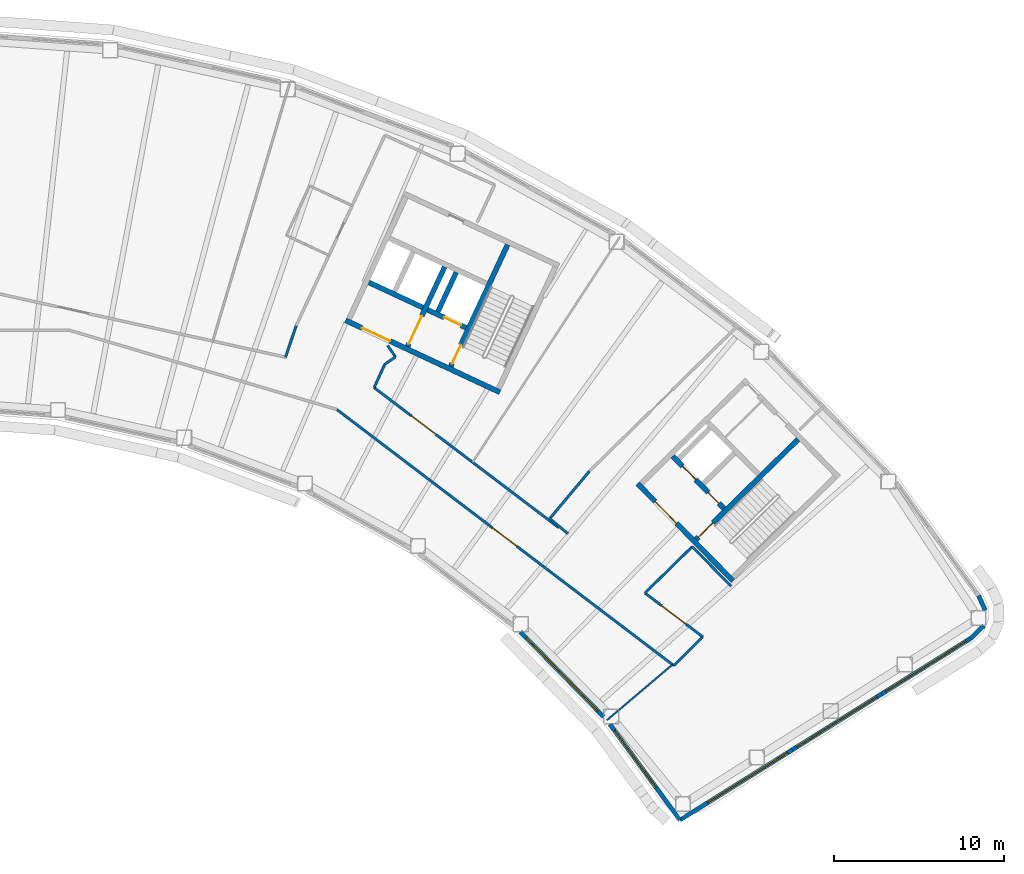
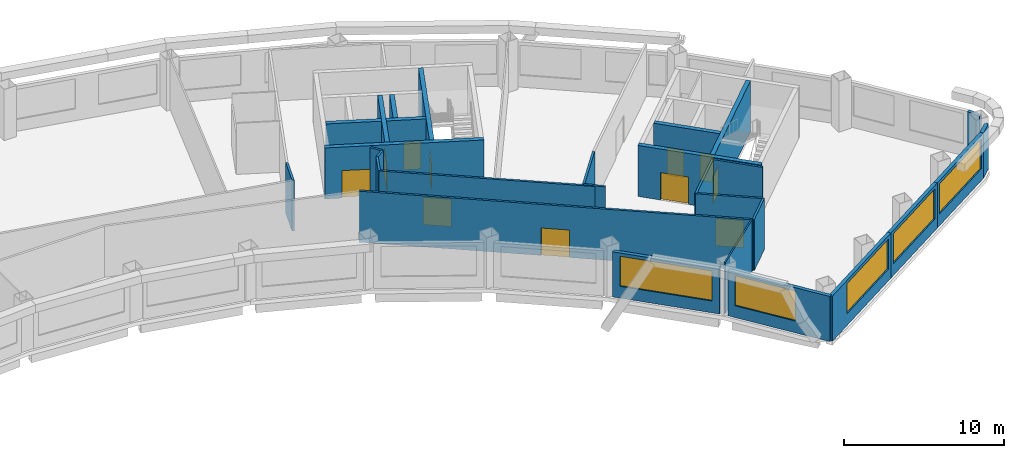
# One storey, part 8 of 12: 29 walls, 11 doors, 5 windows, 16 openings.
"""IFC4 building model written with IfcOpenShell, lengths in metres."""

from ifc_helpers import new_model, si_unit, direction, frame, frame_2d, origin, place, context, subcontext, project, spatial, rectangle, extrude, material, layer, layer_set, type_object, element, fill, save


model = new_model("IFC4")

# Units and contexts
model_context = context("Model", 3, precision=1e-05, world=origin(), true_north=direction((0.0, 1.0)))
body_context = subcontext(model_context, "Body", "Model", "MODEL_VIEW")
ifc_project = project(units=[si_unit("LENGTHUNIT", "METRE"), si_unit("AREAUNIT", "SQUARE_METRE"), si_unit("VOLUMEUNIT", "CUBIC_METRE"), si_unit("PLANEANGLEUNIT", "RADIAN"), si_unit("MASSUNIT", "GRAM", prefix="KILO")], contexts=[model_context])

# Site, building, storey
site_placement = place(None, origin())
site = spatial("IfcSite", under=ifc_project, at=site_placement, CompositionType="ELEMENT")
building_placement = place(site_placement, origin())
building = spatial("IfcBuilding", under=site, at=building_placement, Name="Tuul Gate Civic Tower", CompositionType="ELEMENT")
storey_placement = place(building_placement, frame((0.0, 0.0, 193.10009765625)))
storey = spatial("IfcBuildingStorey", under=building, at=storey_placement, Name="Level 44", CompositionType="ELEMENT", Elevation=193.10009765625)

# Wall, opening, door
ifc_material_1 = material(Name="Concrete C50/60", Category="concrete")
ifc_layer_1 = layer(ifc_material_1, 0.300048828125)
ifc_layer_set_1 = layer_set([ifc_layer_1], Name="Concrete C50/60")
wall_type_1 = type_object("IfcWallType", Name="Core wall C50/60", PredefinedType="SHEAR", material=ifc_layer_set_1)
wall_1_placement = place(storey_placement, frame((48.22509765625, -18.327880859375, 0.0), z_axis=(0.0, 0.0, 1.0), x_axis=(-0.700021979774, 0.714121297703, 0.0)))
wall_1 = element("IfcWall", 1, at=wall_1_placement, inside=storey, type_object=wall_type_1, Name="Core wall", PredefinedType="SHEAR", context=body_context, shape_type="SweptSolid", body=[
    extrude(rectangle(XDim=8.0, YDim=0.300048828125, at=frame_2d((4.0, 0.0))), origin(), (0.0, 0.0, 1.0), 3.89990234375),
])
opening_1_placement = place(wall_1_placement, frame((4.72509765625, 0.0, 0.0)))
opening_1 = element("IfcOpeningElement", 2, at=opening_1_placement, cuts=wall_1, Name="Opening LB-E1-LOBBY-1", PredefinedType="OPENING", context=body_context, shape_type="SweptSolid", body=[
    extrude(rectangle(XDim=1.800048828125, YDim=2.10009765625, at=frame_2d((0.89990234375, 1.050048828125))), frame((0.0, 0.16015625, 0.0), z_axis=(0.0, -1.0, 0.0), x_axis=(1.0, 0.0, 0.0)), (0.0, 0.0, 1.0), 0.320068359375),
])
ifc_material_2 = material(Name="Steel", Category="steel")
door_type_1 = type_object("IfcDoorType", Name="Lobby door", OperationType="DOUBLE_DOOR_SINGLE_SWING", PredefinedType="DOOR", material=ifc_material_2)
door_1_placement = place(opening_1_placement, frame((1.800048828125, 0.0, 0.0), z_axis=(0.0, 0.0, 1.0), x_axis=(-1.0, 0.0, 0.0)))
door_1 = element("IfcDoor", 3, at=door_1_placement, inside=storey, type_object=door_type_1, Name="Lobby door E1-LOBBY", OperationType="DOUBLE_DOOR_SINGLE_SWING", OverallHeight=2.10009765625, OverallWidth=1.800048828125, PredefinedType="DOOR", context=body_context, shape_type="SweptSolid", body=[
    extrude(rectangle(XDim=1.800048828125, YDim=2.10009765625, at=frame_2d((0.900146484375, 1.050048828125))), frame((0.0, 0.02490234375, 0.0), z_axis=(0.0, -1.0, 0.0), x_axis=(1.0, 0.0, 0.0)), (0.0, 0.0, 1.0), 0.050048828125),
])
fill(opening_1, door_1)

# Wall, openings, doors
wall_2_placement = place(storey_placement, frame((47.701904296875, -14.079833984375, 0.0), z_axis=(0.0, 0.0, 1.0), x_axis=(-0.700002721075, 0.714140175657, 0.0)))
wall_2 = element("IfcWall", 4, at=wall_2_placement, inside=storey, type_object=wall_type_1, Name="Core wall", PredefinedType="SHEAR", context=body_context, shape_type="SweptSolid", body=[
    extrude(rectangle(XDim=4.300048828125, YDim=0.300048828125, at=frame_2d((2.14990234375, 0.0))), origin(), (0.0, 0.0, 1.0), 3.89990234375),
])
opening_2_placement = place(wall_2_placement, frame((0.425048828125, 0.0, 0.0)))
opening_2 = element("IfcOpeningElement", 5, at=opening_2_placement, cuts=wall_2, Name="Opening FB-E1A1", PredefinedType="OPENING", context=body_context, shape_type="SweptSolid", body=[
    extrude(rectangle(XDim=0.89990234375, YDim=2.10009765625, at=frame_2d((0.449951171875, 1.050048828125))), frame((0.0, 0.16015625, 0.0), z_axis=(0.0, -1.0, 0.0), x_axis=(1.0, 0.0, 0.0)), (0.0, 0.0, 1.0), 0.320068359375),
])
opening_3_placement = place(wall_2_placement, frame((2.375, 0.0, 0.0)))
opening_3 = element("IfcOpeningElement", 6, at=opening_3_placement, cuts=wall_2, Name="Opening LD-M3", PredefinedType="OPENING", context=body_context, shape_type="SweptSolid", body=[
    extrude(rectangle(XDim=1.10009765625, YDim=2.10009765625, at=frame_2d((0.550048828125, 1.050048828125))), frame((0.0, 0.16015625, 0.0), z_axis=(0.0, -1.0, 0.0), x_axis=(1.0, 0.0, 0.0)), (0.0, 0.0, 1.0), 0.320068359375),
])
ifc_material_3 = material(Name="Stainless steel", Category="steel")
door_type_2 = type_object("IfcDoorType", Name="Landing door", OperationType="DOUBLE_DOOR_SLIDING", PredefinedType="DOOR", material=ifc_material_3)
door_2_placement = place(opening_3_placement, origin())
door_2 = element("IfcDoor", 7, at=door_2_placement, inside=storey, type_object=door_type_2, Name="Mid-rise lift M3 landing door", OperationType="DOUBLE_DOOR_SLIDING", OverallHeight=2.10009765625, OverallWidth=1.10009765625, PredefinedType="DOOR", context=body_context, shape_type="SweptSolid", body=[
    extrude(rectangle(XDim=1.10009765625, YDim=2.10009765625, at=frame_2d((0.550048828125, 1.050048828125))), frame((0.0, 0.02490234375, 0.0), z_axis=(0.0, -1.0, 0.0), x_axis=(1.0, 0.0, 0.0)), (0.0, 0.0, 1.0), 0.050048828125),
])
fill(opening_3, door_2)
ifc_material_4 = material(Name="Steel", Category="steel")
door_type_3 = type_object("IfcDoorType", Name="Store door", OperationType="NOTDEFINED", PredefinedType="DOOR", material=ifc_material_4)
door_3_placement = place(opening_2_placement, frame((0.89990234375, 0.0, 0.0), z_axis=(0.0, 0.0, 1.0), x_axis=(-1.0, 0.0, 0.0)))
door_3 = element("IfcDoor", 8, at=door_3_placement, inside=storey, type_object=door_type_3, Name="Store door E1A1", OperationType="SINGLE_SWING_RIGHT", OverallHeight=2.10009765625, OverallWidth=0.89990234375, PredefinedType="DOOR", context=body_context, shape_type="SweptSolid", body=[
    extrude(rectangle(XDim=0.89990234375, YDim=2.10009765625, at=frame_2d((0.449951171875, 1.050048828125))), frame((0.0, 0.02490234375, 0.0), z_axis=(0.0, -1.0, 0.0), x_axis=(1.0, 0.0, 0.0)), (0.0, 0.0, 1.0), 0.050048828125),
])
fill(opening_2, door_3)

# Wall, opening, door
wall_3_placement = place(storey_placement, frame((46.05712890625, -15.902099609375, 0.0), z_axis=(0.0, 0.0, 1.0), x_axis=(0.714134086973, 0.700008932674, 0.0)))
wall_3 = element("IfcWall", 9, at=wall_3_placement, inside=storey, type_object=wall_type_1, Name="Core wall", PredefinedType="SHEAR", context=body_context, shape_type="SweptSolid", body=[
    extrude(rectangle(XDim=8.400146484375, YDim=0.300048828125, at=frame_2d((4.2001953125, 0.0))), origin(), (0.0, 0.0, 1.0), 3.89990234375),
])
opening_4_placement = place(wall_3_placement, frame((0.199951171875, 0.0, 0.0)))
opening_4 = element("IfcOpeningElement", 10, at=opening_4_placement, cuts=wall_3, Name="Opening SD-ST-3", PredefinedType="OPENING", context=body_context, shape_type="SweptSolid", body=[
    extrude(rectangle(XDim=1.199951171875, YDim=2.10009765625, at=frame_2d((0.60009765625, 1.050048828125))), frame((0.0, 0.16015625, 0.0), z_axis=(0.0, -1.0, 0.0), x_axis=(1.0, 0.0, 0.0)), (0.0, 0.0, 1.0), 0.320068359375),
])
ifc_material_5 = material(Name="Steel", Category="steel")
door_type_4 = type_object("IfcDoorType", Name="Stair door", OperationType="NOTDEFINED", PredefinedType="DOOR", material=ifc_material_5)
door_4_placement = place(opening_4_placement, origin())
door_4 = element("IfcDoor", 11, at=door_4_placement, inside=storey, type_object=door_type_4, Name="Stair door ST-3", OperationType="SINGLE_SWING_LEFT", OverallHeight=2.10009765625, OverallWidth=1.199951171875, PredefinedType="DOOR", context=body_context, shape_type="SweptSolid", body=[
    extrude(rectangle(XDim=1.199951171875, YDim=2.10009765625, at=frame_2d((0.60009765625, 1.050048828125))), frame((0.0, 0.02490234375, 0.0), z_axis=(0.0, -1.0, 0.0), x_axis=(1.0, 0.0, 0.0)), (0.0, 0.0, 1.0), 0.050048828125),
])
fill(opening_4, door_4)

wall_4_placement = place(storey_placement, frame((34.5283203125, -7.25, 0.0), z_axis=(0.0, 0.0, 1.0), x_axis=(-0.906310338845, 0.422612789327, 0.0)))
wall_4 = element("IfcWall", 12, at=wall_4_placement, inside=storey, type_object=wall_type_1, Name="Core wall", PredefinedType="SHEAR", context=body_context, shape_type="SweptSolid", body=[
    extrude(rectangle(XDim=9.999755859375, YDim=0.300048828125, at=frame_2d((5.0, 0.0))), origin(), (0.0, 0.0, 1.0), 3.89990234375),
])
opening_5_placement = place(wall_4_placement, frame((7.125, 0.0, 0.0)))
opening_5 = element("IfcOpeningElement", 13, at=opening_5_placement, cuts=wall_4, Name="Opening LB-E3-LOBBY-1", PredefinedType="OPENING", context=body_context, shape_type="SweptSolid", body=[
    extrude(rectangle(XDim=1.800048828125, YDim=2.10009765625, at=frame_2d((0.89990234375, 1.050048828125))), frame((0.0, 0.16015625, 0.0), z_axis=(0.0, -1.0, 0.0), x_axis=(1.0, 0.0, 0.0)), (0.0, 0.0, 1.0), 0.320068359375),
])
door_5_placement = place(opening_5_placement, frame((1.800048828125, 0.0, 0.0), z_axis=(0.0, 0.0, 1.0), x_axis=(-1.0, 0.0, 0.0)))
door_5 = element("IfcDoor", 14, at=door_5_placement, inside=storey, type_object=door_type_1, Name="Lobby door E3-LOBBY", OperationType="DOUBLE_DOOR_SINGLE_SWING", OverallHeight=2.10009765625, OverallWidth=1.800048828125, PredefinedType="DOOR", context=body_context, shape_type="SweptSolid", body=[
    extrude(rectangle(XDim=1.800048828125, YDim=2.10009765625, at=frame_2d((0.900146484375, 1.050048828125))), frame((0.0, 0.02490234375, 0.0), z_axis=(0.0, -1.0, 0.0), x_axis=(1.0, 0.0, 0.0)), (0.0, 0.0, 1.0), 0.050048828125),
])
fill(opening_5, door_5)

wall_5_placement = place(storey_placement, frame((32.545654296875, -3.456787109375, 0.0), z_axis=(0.0, 0.0, 1.0), x_axis=(-0.906300357825, 0.42263419337, 0.0)))
wall_5 = element("IfcWall", 15, at=wall_5_placement, inside=storey, type_object=wall_type_1, Name="Core wall", PredefinedType="SHEAR", context=body_context, shape_type="SweptSolid", body=[
    extrude(rectangle(XDim=2.500244140625, YDim=0.300048828125, at=frame_2d((1.25, 0.0))), origin(), (0.0, 0.0, 1.0), 3.89990234375),
])
opening_6_placement = place(wall_5_placement, frame((0.324951171875, 0.0, 0.0)))
opening_6 = element("IfcOpeningElement", 16, at=opening_6_placement, cuts=wall_5, Name="Opening LD-FF-2", PredefinedType="OPENING", context=body_context, shape_type="SweptSolid", body=[
    extrude(rectangle(XDim=1.10009765625, YDim=2.10009765625, at=frame_2d((0.550048828125, 1.050048828125))), frame((0.0, 0.16015625, 0.0), z_axis=(0.0, -1.0, 0.0), x_axis=(1.0, 0.0, 0.0)), (0.0, 0.0, 1.0), 0.320068359375),
])
door_6_placement = place(opening_6_placement, origin())
door_6 = element("IfcDoor", 17, at=door_6_placement, inside=storey, type_object=door_type_2, Name="Fire-fighting lift FF-2 landing door", OperationType="DOUBLE_DOOR_SLIDING", OverallHeight=2.10009765625, OverallWidth=1.10009765625, PredefinedType="DOOR", context=body_context, shape_type="SweptSolid", body=[
    extrude(rectangle(XDim=1.10009765625, YDim=2.10009765625, at=frame_2d((0.550048828125, 1.050048828125))), frame((0.0, 0.02490234375, 0.0), z_axis=(0.0, -1.0, 0.0), x_axis=(1.0, 0.0, 0.0)), (0.0, 0.0, 1.0), 0.050048828125),
])
fill(opening_6, door_6)

# Wall
wall_6_placement = place(storey_placement, frame((30.0078125, -2.2734375, 0.0), z_axis=(0.0, 0.0, 1.0), x_axis=(-0.90630071767, 0.422633421716, 0.0)))
element("IfcWall", 18, at=wall_6_placement, inside=storey, type_object=wall_type_1, Name="Core wall", PredefinedType="SHEAR", context=body_context, shape_type="SweptSolid", body=[
    extrude(rectangle(XDim=3.5, YDim=0.300048828125, at=frame_2d((1.75, 0.0))), origin(), (0.0, 0.0, 1.0), 3.89990234375),
])

# Wall, opening, door
wall_7_placement = place(storey_placement, frame((31.646240234375, -5.740478515625, 0.0), z_axis=(0.0, 0.0, 1.0), x_axis=(0.422582604137, 0.906324413596, 0.0)))
wall_7 = element("IfcWall", 19, at=wall_7_placement, inside=storey, type_object=wall_type_1, Name="Core wall", PredefinedType="SHEAR", context=body_context, shape_type="SweptSolid", body=[
    extrude(rectangle(XDim=7.89990234375, YDim=0.300048828125, at=frame_2d((3.949951171875, 0.0))), origin(), (0.0, 0.0, 1.0), 3.89990234375),
])
opening_7_placement = place(wall_7_placement, frame((0.199951171875, 0.0, 0.0)))
opening_7 = element("IfcOpeningElement", 20, at=opening_7_placement, cuts=wall_7, Name="Opening SD-ST-4", PredefinedType="OPENING", context=body_context, shape_type="SweptSolid", body=[
    extrude(rectangle(XDim=1.199951171875, YDim=2.10009765625, at=frame_2d((0.60009765625, 1.050048828125))), frame((0.0, 0.16015625, 0.0), z_axis=(0.0, -1.0, 0.0), x_axis=(1.0, 0.0, 0.0)), (0.0, 0.0, 1.0), 0.320068359375),
])
door_7_placement = place(opening_7_placement, origin())
door_7 = element("IfcDoor", 21, at=door_7_placement, inside=storey, type_object=door_type_4, Name="Stair door ST-4", OperationType="SINGLE_SWING_LEFT", OverallHeight=2.10009765625, OverallWidth=1.199951171875, PredefinedType="DOOR", context=body_context, shape_type="SweptSolid", body=[
    extrude(rectangle(XDim=1.199951171875, YDim=2.10009765625, at=frame_2d((0.60009765625, 1.050048828125))), frame((0.0, 0.02490234375, 0.0), z_axis=(0.0, -1.0, 0.0), x_axis=(1.0, 0.0, 0.0)), (0.0, 0.0, 1.0), 0.050048828125),
])
fill(opening_7, door_7)

# Wall
wall_8_placement = place(storey_placement, frame((30.886962890625, -2.517822265625, 0.0), z_axis=(0.0, 0.0, 1.0), x_axis=(0.422612891016, 0.906310291427, 0.0)))
element("IfcWall", 22, at=wall_8_placement, inside=storey, type_object=wall_type_1, Name="Core wall", PredefinedType="SHEAR", context=body_context, shape_type="SweptSolid", body=[
    extrude(rectangle(XDim=2.550048828125, YDim=0.300048828125, at=frame_2d((1.27490234375, 0.0))), origin(), (0.0, 0.0, 1.0), 3.89990234375),
])

# Wall, opening, door
wall_9_placement = place(storey_placement, frame((29.108642578125, -4.557373046875, 0.0), z_axis=(0.0, 0.0, 1.0), x_axis=(0.422566235356, 0.90633204552, 0.0)))
wall_9 = element("IfcWall", 23, at=wall_9_placement, inside=storey, type_object=wall_type_1, Name="Core wall", PredefinedType="SHEAR", context=body_context, shape_type="SweptSolid", body=[
    extrude(rectangle(XDim=5.150146484375, YDim=0.300048828125, at=frame_2d((2.5751953125, 0.0))), origin(), (0.0, 0.0, 1.0), 3.89990234375),
])
opening_8_placement = place(wall_9_placement, frame((0.175048828125, 0.0, 0.0)))
opening_8 = element("IfcOpeningElement", 24, at=opening_8_placement, cuts=wall_9, Name="Opening LB-E3-FLOBBY-1", PredefinedType="OPENING", context=body_context, shape_type="SweptSolid", body=[
    extrude(rectangle(XDim=1.800048828125, YDim=2.10009765625, at=frame_2d((0.89990234375, 1.050048828125))), frame((0.0, 0.16015625, 0.0), z_axis=(0.0, -1.0, 0.0), x_axis=(1.0, 0.0, 0.0)), (0.0, 0.0, 1.0), 0.320068359375),
])
door_8_placement = place(opening_8_placement, frame((1.800048828125, 0.0, 0.0), z_axis=(0.0, 0.0, 1.0), x_axis=(-1.0, 0.0, 0.0)))
door_8 = element("IfcDoor", 25, at=door_8_placement, inside=storey, type_object=door_type_1, Name="Lobby door E3-FLOBBY", OperationType="DOUBLE_DOOR_SINGLE_SWING", OverallHeight=2.10009765625, OverallWidth=1.800048828125, PredefinedType="DOOR", context=body_context, shape_type="SweptSolid", body=[
    extrude(rectangle(XDim=1.800048828125, YDim=2.10009765625, at=frame_2d((0.900146484375, 1.050048828125))), frame((0.0, 0.02490234375, 0.0), z_axis=(0.0, -1.0, 0.0), x_axis=(1.0, 0.0, 0.0)), (0.0, 0.0, 1.0), 0.050048828125),
])
fill(opening_8, door_8)

# Wall
ifc_material_6 = material(Name="Gypsum board partition")
ifc_layer_2 = layer(ifc_material_6, 0.14990234375)
ifc_layer_set_2 = layer_set([ifc_layer_2], Name="Gypsum board partition")
wall_type_2 = type_object("IfcWallType", Name="Corridor wall P150", PredefinedType="PARTITIONING", material=ifc_layer_set_2)
wall_10_placement = place(storey_placement, frame((44.74853515625, -23.310791015625, 0.0), z_axis=(0.0, 0.0, 1.0), x_axis=(0.711618741857, 0.70256584477, 0.0)))
element("IfcWall", 26, at=wall_10_placement, inside=storey, type_object=wall_type_2, Name="p002", PredefinedType="PARTITIONING", context=body_context, shape_type="SweptSolid", body=[
    extrude(rectangle(XDim=2.400146484375, YDim=0.14990234375, at=frame_2d((1.2001953125, 0.0))), origin(), (0.0, 0.0, 1.0), 3.89990234375),
])

# Wall, opening, door
wall_11_placement = place(storey_placement, frame((27.14404296875, -6.9794921875, 0.0), z_axis=(0.0, 0.0, 1.0), x_axis=(0.796810356631, -0.604229472606, 0.0)))
wall_11 = element("IfcWall", 27, at=wall_11_placement, inside=storey, type_object=wall_type_2, Name="p003", PredefinedType="PARTITIONING", context=body_context, shape_type="SweptSolid", body=[
    extrude(rectangle(XDim=13.6142578125, YDim=0.14990234375, at=frame_2d((6.80712890625, 0.0))), origin(), (0.0, 0.0, 1.0), 3.89990234375),
])
opening_9_placement = place(wall_11_placement, frame((2.74560546875, 0.0, 0.0)))
opening_9 = element("IfcOpeningElement", 28, at=opening_9_placement, cuts=wall_11, Name="Opening P-D11", PredefinedType="OPENING", context=body_context, shape_type="SweptSolid", body=[
    extrude(rectangle(XDim=1.800048828125, YDim=2.10009765625, at=frame_2d((0.89990234375, 1.050048828125))), frame((0.0, 0.0849609375, 0.0), z_axis=(0.0, -1.0, 0.0), x_axis=(1.0, 0.0, 0.0)), (0.0, 0.0, 1.0), 0.169921875),
])
ifc_material_7 = material(Name="Timber door leaf, double", Category="wood")
door_type_5 = type_object("IfcDoorType", Name="Door D18", OperationType="DOUBLE_DOOR_SINGLE_SWING", PredefinedType="DOOR", material=ifc_material_7)
door_9_placement = place(opening_9_placement, origin())
door_9 = element("IfcDoor", 29, at=door_9_placement, inside=storey, type_object=door_type_5, Name="Door P-D11", OperationType="DOUBLE_DOOR_SINGLE_SWING", OverallHeight=2.10009765625, OverallWidth=1.800048828125, PredefinedType="DOOR", context=body_context, shape_type="SweptSolid", body=[
    extrude(rectangle(XDim=1.800048828125, YDim=2.10009765625, at=frame_2d((0.89990234375, 1.050048828125))), frame((0.0, 0.02490234375, 0.0), z_axis=(0.0, -1.0, 0.0), x_axis=(1.0, 0.0, 0.0)), (0.0, 0.0, 1.0), 0.050048828125),
])
fill(opening_9, door_9)

wall_12_placement = place(storey_placement, frame((43.056884765625, -19.046630859375, 0.0), z_axis=(0.0, 0.0, 1.0), x_axis=(0.796823317095, -0.604212380984, 0.0)))
wall_12 = element("IfcWall", 30, at=wall_12_placement, inside=storey, type_object=wall_type_2, Name="p004", PredefinedType="PARTITIONING", context=body_context, shape_type="SweptSolid", body=[
    extrude(rectangle(XDim=4.2666015625, YDim=0.14990234375, at=frame_2d((2.13330078125, 0.0))), origin(), (0.0, 0.0, 1.0), 3.89990234375),
])
opening_10_placement = place(wall_12_placement, frame((1.2333984375, 0.0, 0.0)))
opening_10 = element("IfcOpeningElement", 31, at=opening_10_placement, cuts=wall_12, Name="Opening P-D01", PredefinedType="OPENING", context=body_context, shape_type="SweptSolid", body=[
    extrude(rectangle(XDim=1.800048828125, YDim=2.10009765625, at=frame_2d((0.89990234375, 1.050048828125))), frame((0.0, 0.0849609375, 0.0), z_axis=(0.0, -1.0, 0.0), x_axis=(1.0, 0.0, 0.0)), (0.0, 0.0, 1.0), 0.169921875),
])
door_10_placement = place(opening_10_placement, origin())
door_10 = element("IfcDoor", 32, at=door_10_placement, inside=storey, type_object=door_type_5, Name="Door P-D01", OperationType="DOUBLE_DOOR_SINGLE_SWING", OverallHeight=2.10009765625, OverallWidth=1.800048828125, PredefinedType="DOOR", context=body_context, shape_type="SweptSolid", body=[
    extrude(rectangle(XDim=1.800048828125, YDim=2.10009765625, at=frame_2d((0.89990234375, 1.050048828125))), frame((0.0, 0.02490234375, 0.0), z_axis=(0.0, -1.0, 0.0), x_axis=(1.0, 0.0, 0.0)), (0.0, 0.0, 1.0), 0.050048828125),
])
fill(opening_10, door_10)

# Walls
wall_13_placement = place(storey_placement, frame((43.056884765625, -19.046630859375, 0.0), z_axis=(0.0, 0.0, 1.0), x_axis=(0.714125074871, 0.700018126509, 0.0)))
element("IfcWall", 33, at=wall_13_placement, inside=storey, type_object=wall_type_2, Name="p005", PredefinedType="PARTITIONING", context=body_context, shape_type="SweptSolid", body=[
    extrude(rectangle(XDim=3.89404296875, YDim=0.14990234375, at=frame_2d((1.947021484375, 0.0))), origin(), (0.0, 0.0, 1.0), 3.89990234375),
])
wall_14_placement = place(storey_placement, frame((45.837646484375, -16.32080078125, 0.0), z_axis=(0.0, 0.0, 1.0), x_axis=(0.700020410366, -0.714122836122, 0.0)))
element("IfcWall", 34, at=wall_14_placement, inside=storey, type_object=wall_type_2, Name="p006", PredefinedType="PARTITIONING", context=body_context, shape_type="SweptSolid", body=[
    extrude(rectangle(XDim=3.254638671875, YDim=0.14990234375, at=frame_2d((1.62744140625, 0.0))), origin(), (0.0, 0.0, 1.0), 3.89990234375),
])

# Wall, opening, door
wall_15_placement = place(storey_placement, frame((24.951904296875, -8.265869140625, 0.0), z_axis=(0.0, 0.0, 1.0), x_axis=(0.796172221876, -0.605070072895, 0.0)))
wall_15 = element("IfcWall", 35, at=wall_15_placement, inside=storey, type_object=wall_type_2, Name="p008", PredefinedType="PARTITIONING", context=body_context, shape_type="SweptSolid", body=[
    extrude(rectangle(XDim=24.86474609375, YDim=0.14990234375, at=frame_2d((12.432373046875, 0.0))), origin(), (0.0, 0.0, 1.0), 3.89990234375),
])
opening_11_placement = place(wall_15_placement, frame((11.48583984375, 0.0, 0.0)))
opening_11 = element("IfcOpeningElement", 36, at=opening_11_placement, cuts=wall_15, Name="Opening P-D03", PredefinedType="OPENING", context=body_context, shape_type="SweptSolid", body=[
    extrude(rectangle(XDim=1.800048828125, YDim=2.10009765625, at=frame_2d((0.89990234375, 1.050048828125))), frame((0.0, 0.0849609375, 0.0), z_axis=(0.0, -1.0, 0.0), x_axis=(1.0, 0.0, 0.0)), (0.0, 0.0, 1.0), 0.169921875),
])
door_11_placement = place(opening_11_placement, frame((1.800048828125, 0.0, 0.0), z_axis=(0.0, 0.0, 1.0), x_axis=(-1.0, 0.0, 0.0)))
door_11 = element("IfcDoor", 37, at=door_11_placement, inside=storey, type_object=door_type_5, Name="Door P-D03", OperationType="DOUBLE_DOOR_SINGLE_SWING", OverallHeight=2.10009765625, OverallWidth=1.800048828125, PredefinedType="DOOR", context=body_context, shape_type="SweptSolid", body=[
    extrude(rectangle(XDim=1.800048828125, YDim=2.10009765625, at=frame_2d((0.900146484375, 1.050048828125))), frame((0.0, 0.02490234375, 0.0), z_axis=(0.0, -1.0, 0.0), x_axis=(1.0, 0.0, 0.0)), (0.0, 0.0, 1.0), 0.050048828125),
])
fill(opening_11, door_11)

# Walls
wall_16_placement = place(storey_placement, frame((37.46484375, -14.670166015625, 0.0), z_axis=(0.0, 0.0, 1.0), x_axis=(0.642225199849, 0.766516009408, 0.0)))
element("IfcWall", 38, at=wall_16_placement, inside=storey, type_object=wall_type_2, Name="p017", PredefinedType="PARTITIONING", context=body_context, shape_type="SweptSolid", body=[
    extrude(rectangle(XDim=3.6318359375, YDim=0.14990234375, at=frame_2d((1.81591796875, 0.0))), origin(), (0.0, 0.0, 1.0), 3.89990234375),
])
wall_17_placement = place(storey_placement, frame((37.465087890625, -14.6708984375, 0.0), z_axis=(0.0, 0.0, 1.0), x_axis=(0.76648323599, -0.642264313928, 0.0)))
element("IfcWall", 39, at=wall_17_placement, inside=storey, type_object=wall_type_2, Name="p018", PredefinedType="PARTITIONING", context=body_context, shape_type="SweptSolid", body=[
    extrude(rectangle(XDim=1.3955078125, YDim=0.14990234375, at=frame_2d((0.69775390625, 0.0))), origin(), (0.0, 0.0, 1.0), 3.89990234375),
])
wall_18_placement = place(storey_placement, frame((21.937744140625, -5.190185546875, 0.0), z_axis=(0.0, 0.0, 1.0), x_axis=(0.318481163811, 0.947929189495, 0.0)))
element("IfcWall", 40, at=wall_18_placement, inside=storey, type_object=wall_type_2, Name="p037", PredefinedType="PARTITIONING", context=body_context, shape_type="SweptSolid", body=[
    extrude(rectangle(XDim=1.949462890625, YDim=0.14990234375, at=frame_2d((0.974609375, 0.0))), origin(), (0.0, 0.0, 1.0), 3.89990234375),
])
wall_19_placement = place(storey_placement, frame((27.939208984375, -4.508544921875, 0.0), z_axis=(0.0, 0.0, 1.0), x_axis=(0.567323446444, -0.823495055914, 0.0)))
element("IfcWall", 41, at=wall_19_placement, inside=storey, type_object=wall_type_2, Name="p040", PredefinedType="PARTITIONING", context=body_context, shape_type="SweptSolid", body=[
    extrude(rectangle(XDim=0.80810546875, YDim=0.14990234375, at=frame_2d((0.404052734375, 0.0))), origin(), (0.0, 0.0, 1.0), 3.89990234375),
])
wall_20_placement = place(storey_placement, frame((27.76611328125, -5.609130859375, 0.0), z_axis=(0.0, 0.0, 1.0), x_axis=(0.823530734463, 0.567271653967, 0.0)))
element("IfcWall", 42, at=wall_20_placement, inside=storey, type_object=wall_type_2, Name="p041", PredefinedType="PARTITIONING", context=body_context, shape_type="SweptSolid", body=[
    extrude(rectangle(XDim=0.766845703125, YDim=0.14990234375, at=frame_2d((0.38330078125, 0.0))), origin(), (0.0, 0.0, 1.0), 3.89990234375),
])
wall_21_placement = place(storey_placement, frame((27.14404296875, -6.9794921875, 0.0), z_axis=(0.0, 0.0, 1.0), x_axis=(0.413350661789, 0.91057192489, 0.0)))
element("IfcWall", 43, at=wall_21_placement, inside=storey, type_object=wall_type_2, Name="p042", PredefinedType="PARTITIONING", context=body_context, shape_type="SweptSolid", body=[
    extrude(rectangle(XDim=1.5048828125, YDim=0.14990234375, at=frame_2d((0.75244140625, 0.0))), origin(), (0.0, 0.0, 1.0), 3.89990234375),
])
ifc_material_8 = material(Name="Precast concrete C40/50", Category="concrete")
ifc_layer_3 = layer(ifc_material_8, 0.25)
ifc_layer_set_3 = layer_set([ifc_layer_3], Name="Precast concrete C40/50")
wall_type_3 = type_object("IfcWallType", Name="External wall", PredefinedType="STANDARD", material=ifc_layer_set_3)
wall_22_placement = place(storey_placement, frame((62.180419921875, -21.725830078125, 0.0), z_axis=(0.0, 0.0, 1.0), x_axis=(0.722107994372, 0.691780344087, 0.0)))
element("IfcWall", 44, at=wall_22_placement, inside=storey, type_object=wall_type_3, Name="External wall", PredefinedType="STANDARD", context=body_context, shape_type="SweptSolid", body=[
    extrude(rectangle(XDim=1.102783203125, YDim=0.25, at=frame_2d((0.55126953125, 0.0))), origin(), (0.0, 0.0, 1.0), 3.449951171875),
])
wall_23_placement = place(storey_placement, frame((63.0546875, -20.06298828125, 0.0), z_axis=(0.0, 0.0, 1.0), x_axis=(-0.413528765966, 0.910491054167, 0.0)))
element("IfcWall", 45, at=wall_23_placement, inside=storey, type_object=wall_type_3, Name="External wall", PredefinedType="STANDARD", context=body_context, shape_type="SweptSolid", body=[
    extrude(rectangle(XDim=0.939208984375, YDim=0.25, at=frame_2d((0.4697265625, 0.0))), origin(), (0.0, 0.0, 1.0), 3.449951171875),
])

# Wall, opening, window
wall_24_placement = place(storey_placement, frame((35.741943359375, -21.3369140625, 0.0), z_axis=(0.0, 0.0, 1.0), x_axis=(0.700101181113, -0.71404365147, 0.0)))
wall_24 = element("IfcWall", 46, at=wall_24_placement, inside=storey, type_object=wall_type_3, Name="External wall", PredefinedType="STANDARD", context=body_context, shape_type="SweptSolid", body=[
    extrude(rectangle(XDim=6.96923828125, YDim=0.25, at=frame_2d((3.484619140625, 0.0))), origin(), (0.0, 0.0, 1.0), 3.449951171875),
])
opening_12_placement = place(wall_24_placement, frame((0.485107421875, 0.0, 0.89990234375)))
opening_12 = element("IfcOpeningElement", 47, at=opening_12_placement, cuts=wall_24, Name="Opening W26", PredefinedType="OPENING", context=body_context, shape_type="SweptSolid", body=[
    extrude(rectangle(XDim=6.0, YDim=2.300048828125, at=frame_2d((3.0, 1.14990234375))), frame((0.0, 0.135009765625, 0.0), z_axis=(0.0, -1.0, 0.0), x_axis=(1.0, 0.0, 0.0)), (0.0, 0.0, 1.0), 0.27001953125),
])
ifc_material_9 = material(Name="Glass", Category="glass")
window_type_1 = type_object("IfcWindowType", Name="Window W26 6000 x 2300", PartitioningType="SINGLE_PANEL", PredefinedType="WINDOW", material=ifc_material_9)
window_1_placement = place(opening_12_placement, origin())
window_1 = element("IfcWindow", 48, at=window_1_placement, inside=storey, type_object=window_type_1, Name="Window", OverallHeight=2.300048828125, OverallWidth=6.0, PartitioningType="SINGLE_PANEL", PredefinedType="WINDOW", context=body_context, shape_type="SweptSolid", body=[
    extrude(rectangle(XDim=6.0, YDim=2.300048828125, at=frame_2d((3.0, 1.14990234375))), frame((0.0, 0.030029296875, 0.0), z_axis=(0.0, -1.0, 0.0), x_axis=(1.0, 0.0, 0.0)), (0.0, 0.0, 1.0), 0.06005859375),
])
fill(opening_12, window_1)

wall_25_placement = place(storey_placement, frame((40.997802734375, -26.759033203125, 0.0), z_axis=(0.0, 0.0, 1.0), x_axis=(0.589748783254, -0.807586758591, 0.0)))
wall_25 = element("IfcWall", 49, at=wall_25_placement, inside=storey, type_object=wall_type_3, Name="External wall", PredefinedType="STANDARD", context=body_context, shape_type="SweptSolid", body=[
    extrude(rectangle(XDim=6.97216796875, YDim=0.25, at=frame_2d((3.486083984375, 0.0))), origin(), (0.0, 0.0, 1.0), 3.449951171875),
])
opening_13_placement = place(wall_25_placement, frame((0.46435546875, 0.0, 0.89990234375)))
opening_13 = element("IfcOpeningElement", 50, at=opening_13_placement, cuts=wall_25, Name="Opening W25", PredefinedType="OPENING", context=body_context, shape_type="SweptSolid", body=[
    extrude(rectangle(XDim=4.14990234375, YDim=2.300048828125, at=frame_2d((2.074951171875, 1.14990234375))), frame((0.0, 0.135009765625, 0.0), z_axis=(0.0, -1.0, 0.0), x_axis=(1.0, 0.0, 0.0)), (0.0, 0.0, 1.0), 0.27001953125),
])
ifc_material_10 = material(Name="Glass", Category="glass")
window_type_2 = type_object("IfcWindowType", Name="Window W25 4150 x 2300", PartitioningType="SINGLE_PANEL", PredefinedType="WINDOW", material=ifc_material_10)
window_2_placement = place(opening_13_placement, origin())
window_2 = element("IfcWindow", 51, at=window_2_placement, inside=storey, type_object=window_type_2, Name="Window", OverallHeight=2.300048828125, OverallWidth=4.14990234375, PartitioningType="SINGLE_PANEL", PredefinedType="WINDOW", context=body_context, shape_type="SweptSolid", body=[
    extrude(rectangle(XDim=4.14990234375, YDim=2.300048828125, at=frame_2d((2.074951171875, 1.14990234375))), frame((0.0, 0.030029296875, 0.0), z_axis=(0.0, -1.0, 0.0), x_axis=(1.0, 0.0, 0.0)), (0.0, 0.0, 1.0), 0.06005859375),
])
fill(opening_13, window_2)

wall_26_placement = place(storey_placement, frame((45.109619140625, -32.3896484375, 0.0), z_axis=(0.0, 0.0, 1.0), x_axis=(0.848047613046, 0.52992003737, 0.0)))
wall_26 = element("IfcWall", 52, at=wall_26_placement, inside=storey, type_object=wall_type_3, Name="External wall", PredefinedType="STANDARD", context=body_context, shape_type="SweptSolid", body=[
    extrude(rectangle(XDim=7.787841796875, YDim=0.25, at=frame_2d((3.89404296875, 0.0))), origin(), (0.0, 0.0, 1.0), 3.449951171875),
])
opening_14_placement = place(wall_26_placement, frame((1.92138671875, 0.0, 0.89990234375)))
opening_14 = element("IfcOpeningElement", 53, at=opening_14_placement, cuts=wall_26, Name="Opening W24", PredefinedType="OPENING", context=body_context, shape_type="SweptSolid", body=[
    extrude(rectangle(XDim=5.550048828125, YDim=2.300048828125, at=frame_2d((2.77490234375, 1.14990234375))), frame((0.0, 0.135009765625, 0.0), z_axis=(0.0, -1.0, 0.0), x_axis=(1.0, 0.0, 0.0)), (0.0, 0.0, 1.0), 0.27001953125),
])
ifc_material_11 = material(Name="Glass", Category="glass")
window_type_3 = type_object("IfcWindowType", Name="Window W24 5550 x 2300", PartitioningType="SINGLE_PANEL", PredefinedType="WINDOW", material=ifc_material_11)
window_3_placement = place(opening_14_placement, origin())
window_3 = element("IfcWindow", 54, at=window_3_placement, inside=storey, type_object=window_type_3, Name="Window", OverallHeight=2.300048828125, OverallWidth=5.550048828125, PartitioningType="SINGLE_PANEL", PredefinedType="WINDOW", context=body_context, shape_type="SweptSolid", body=[
    extrude(rectangle(XDim=5.550048828125, YDim=2.300048828125, at=frame_2d((2.77490234375, 1.14990234375))), frame((0.0, 0.030029296875, 0.0), z_axis=(0.0, -1.0, 0.0), x_axis=(1.0, 0.0, 0.0)), (0.0, 0.0, 1.0), 0.06005859375),
])
fill(opening_14, window_3)

wall_27_placement = place(storey_placement, frame((51.714111328125, -28.2626953125, 0.0), z_axis=(0.0, 0.0, 1.0), x_axis=(0.848053758074, 0.529910203164, 0.0)))
wall_27 = element("IfcWall", 55, at=wall_27_placement, inside=storey, type_object=wall_type_3, Name="External wall", PredefinedType="STANDARD", context=body_context, shape_type="SweptSolid", body=[
    extrude(rectangle(XDim=6.182861328125, YDim=0.25, at=frame_2d((3.09130859375, 0.0))), origin(), (0.0, 0.0, 1.0), 3.449951171875),
])
opening_15_placement = place(wall_27_placement, frame((0.31640625, 0.0, 0.89990234375)))
opening_15 = element("IfcOpeningElement", 56, at=opening_15_placement, cuts=wall_27, Name="Opening W24", PredefinedType="OPENING", context=body_context, shape_type="SweptSolid", body=[
    extrude(rectangle(XDim=5.550048828125, YDim=2.300048828125, at=frame_2d((2.77490234375, 1.14990234375))), frame((0.0, 0.135009765625, 0.0), z_axis=(0.0, -1.0, 0.0), x_axis=(1.0, 0.0, 0.0)), (0.0, 0.0, 1.0), 0.27001953125),
])
window_4_placement = place(opening_15_placement, origin())
window_4 = element("IfcWindow", 57, at=window_4_placement, inside=storey, type_object=window_type_3, Name="Window", OverallHeight=2.300048828125, OverallWidth=5.550048828125, PartitioningType="SINGLE_PANEL", PredefinedType="WINDOW", context=body_context, shape_type="SweptSolid", body=[
    extrude(rectangle(XDim=5.550048828125, YDim=2.300048828125, at=frame_2d((2.77490234375, 1.14990234375))), frame((0.0, 0.030029296875, 0.0), z_axis=(0.0, -1.0, 0.0), x_axis=(1.0, 0.0, 0.0)), (0.0, 0.0, 1.0), 0.06005859375),
])
fill(opening_15, window_4)

wall_28_placement = place(storey_placement, frame((56.95751953125, -24.986328125, 0.0), z_axis=(0.0, 0.0, 1.0), x_axis=(0.848042669488, 0.529927948619, 0.0)))
wall_28 = element("IfcWall", 58, at=wall_28_placement, inside=storey, type_object=wall_type_3, Name="External wall", PredefinedType="STANDARD", context=body_context, shape_type="SweptSolid", body=[
    extrude(rectangle(XDim=6.1826171875, YDim=0.25, at=frame_2d((3.09130859375, 0.0))), origin(), (0.0, 0.0, 1.0), 3.449951171875),
])
opening_16_placement = place(wall_28_placement, frame((0.31640625, 0.0, 0.89990234375)))
opening_16 = element("IfcOpeningElement", 59, at=opening_16_placement, cuts=wall_28, Name="Opening W24", PredefinedType="OPENING", context=body_context, shape_type="SweptSolid", body=[
    extrude(rectangle(XDim=5.550048828125, YDim=2.300048828125, at=frame_2d((2.77490234375, 1.14990234375))), frame((0.0, 0.135009765625, 0.0), z_axis=(0.0, -1.0, 0.0), x_axis=(1.0, 0.0, 0.0)), (0.0, 0.0, 1.0), 0.27001953125),
])
window_5_placement = place(opening_16_placement, origin())
window_5 = element("IfcWindow", 60, at=window_5_placement, inside=storey, type_object=window_type_3, Name="Window", OverallHeight=2.300048828125, OverallWidth=5.550048828125, PartitioningType="SINGLE_PANEL", PredefinedType="WINDOW", context=body_context, shape_type="SweptSolid", body=[
    extrude(rectangle(XDim=5.550048828125, YDim=2.300048828125, at=frame_2d((2.77490234375, 1.14990234375))), frame((0.0, 0.030029296875, 0.0), z_axis=(0.0, -1.0, 0.0), x_axis=(1.0, 0.0, 0.0)), (0.0, 0.0, 1.0), 0.06005859375),
])
fill(opening_16, window_5)

# Wall
ifc_material_12 = material(Name="Gypsum board partition")
ifc_layer_4 = layer(ifc_material_12, 0.10009765625)
ifc_layer_set_4 = layer_set([ifc_layer_4], Name="Gypsum board partition")
wall_type_4 = type_object("IfcWallType", Name="Partition P100", PredefinedType="PARTITIONING", material=ifc_layer_set_4)
wall_29_placement = place(storey_placement, frame((40.81884765625, -26.5224609375, 0.0), z_axis=(0.0, 0.0, 1.0), x_axis=(0.762845526872, 0.646580777731, 0.0)))
element("IfcWall", 61, at=wall_29_placement, inside=storey, type_object=wall_type_4, Name="p001", PredefinedType="PARTITIONING", context=body_context, shape_type="SweptSolid", body=[
    extrude(rectangle(XDim=5.054443359375, YDim=0.10009765625, at=frame_2d((2.52734375, 0.0))), origin(), (0.0, 0.0, 1.0), 3.89990234375),
])

save(model, "model.ifc")
